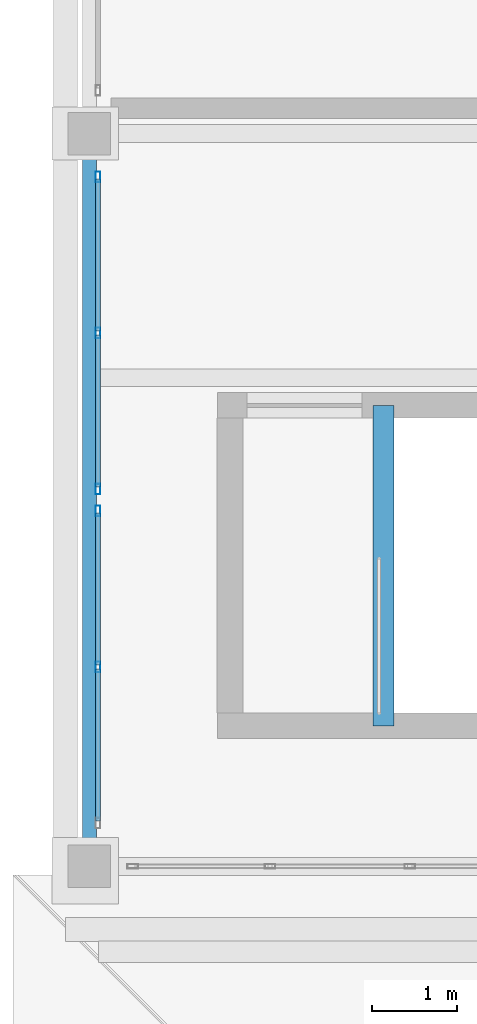
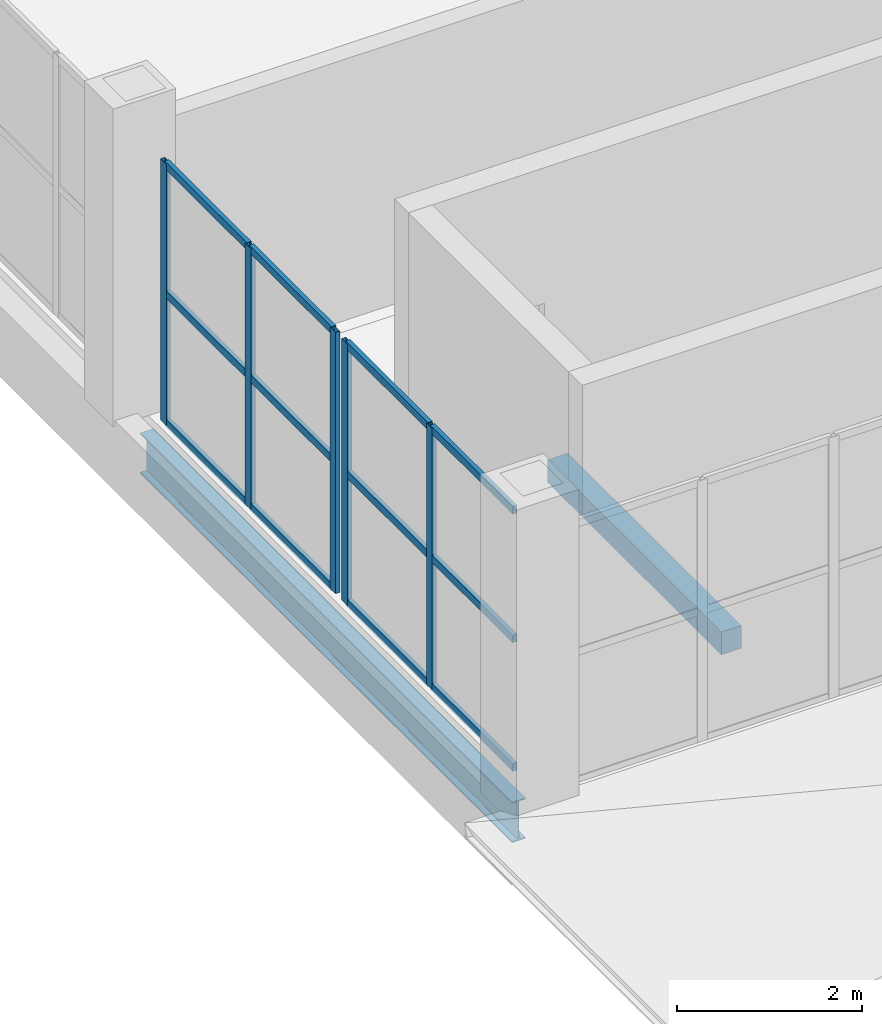
# One storey, part 4 of 26: 17 members, 2 beams, 2 elements without a shape of their own.
"""IFC4 building model written with IfcOpenShell, lengths in metres."""

from ifc_helpers import new_model, si_unit, direction, frame, origin, origin_2d, place, context, subcontext, project, spatial, rectangle, hollow_rectangle, i_section, extrude, material, material_profile, profile_set, type_object, element, aggregate, save


model = new_model("IFC4")

# Units and contexts
model_context = context("Model", 3, precision=1e-05, world=origin(), true_north=direction((0.0, 1.0)))
body_context = subcontext(model_context, "Body", "Model", "MODEL_VIEW")
ifc_project = project(units=[si_unit("LENGTHUNIT", "METRE"), si_unit("AREAUNIT", "SQUARE_METRE"), si_unit("VOLUMEUNIT", "CUBIC_METRE"), si_unit("PLANEANGLEUNIT", "RADIAN"), si_unit("MASSUNIT", "GRAM", prefix="KILO")], contexts=[model_context])

# Site, building, storey
site_placement = place(None, origin())
site = spatial("IfcSite", under=ifc_project, at=site_placement, CompositionType="ELEMENT")
building_placement = place(site_placement, origin())
building = spatial("IfcBuilding", under=site, at=building_placement, Name="Caurita Quay Ferry Terminal", CompositionType="ELEMENT")
storey_placement = place(building_placement, frame((0.0, 0.0, 18.300048828125)))
storey = spatial("IfcBuildingStorey", under=building, at=storey_placement, Name="L04", CompositionType="ELEMENT", Elevation=18.300048828125)

# Beam
ifc_material_1 = material(Name="Structural steel ASTM A992 Gr. 50", Category="steel")
ifc_material_profile_1 = material_profile(ifc_material_1, i_section(OverallWidth=0.16650390625, OverallDepth=0.535888671875, WebThickness=0.01025390625, FlangeThickness=0.0166015625, FilletRadius=0.013916015625, at=origin_2d()), Name="W21X57")
ifc_profile_set_1 = profile_set([ifc_material_profile_1], Name="Structural steel ASTM A992 Gr. 50")
beam_type_1 = type_object("IfcBeamType", Name="BM-SP-W21B", PredefinedType="SPANDREL", material=ifc_profile_set_1)
beam_1_placement = place(storey_placement, frame((0.0, 71.876220703125, -0.488037109375), z_axis=(0.0, 1.0, 0.0), x_axis=(-1.0, 0.0, 0.0)))
element("IfcBeam", 1, at=beam_1_placement, inside=storey, type_object=beam_type_1, Name="L04 Beam BM-V5-L04-Y-0-719", PredefinedType="SPANDREL", context=body_context, shape_type="SweptSolid", body=[
    extrude(i_section(OverallWidth=0.16650390625, OverallDepth=0.535888671875, WebThickness=0.01025390625, FlangeThickness=0.0166015625, FilletRadius=0.013916015625, at=origin_2d()), origin(), (0.0, 0.0, 1.0), 8.04736328125),
])

# Curtain wall, members
ifc_material_2 = material(Name="Laminated solar-control insulated glass", Category="glass")
curtain_wall_type = type_object("IfcCurtainWallType", Name="CW-SYS-20", PredefinedType="NOTDEFINED", material=ifc_material_2)
curtain_wall_1_placement = place(storey_placement, origin())
curtain_wall_1 = element("IfcCurtainWall", 2, at=curtain_wall_1_placement, inside=storey, type_object=curtain_wall_type, Name="VTS Watch Panoramic Curtain Wall 142", PredefinedType="NOTDEFINED")
ifc_material_3 = material(Name="Anodized aluminium 6063-T6", Category="aluminium")
ifc_material_profile_2 = material_profile(ifc_material_3, hollow_rectangle(XDim=0.054931640625, YDim=0.125, WallThickness=0.00341796875, at=origin_2d()), Name="ALU-MUL-55X125")
ifc_profile_set_2 = profile_set([ifc_material_profile_2], Name="Anodized aluminium 6063-T6")
member_type_1 = type_object("IfcMemberType", Name="CW-MUL-125", PredefinedType="MULLION", material=ifc_profile_set_2)
member_1_placement = place(storey_placement, frame((0.10009765625, 73.93994140625, 0.0), z_axis=(0.0, 0.0, 1.0), x_axis=(-1.0, 0.0, 0.0)))
member_1 = element("IfcMember", 3, at=member_1_placement, type_object=member_type_1, Name="CW-VTS-142 Mullion 2", PredefinedType="MULLION", context=body_context, shape_type="SweptSolid", body=[
    extrude(hollow_rectangle(XDim=0.054931640625, YDim=0.125, WallThickness=0.00341796875, at=origin_2d()), origin(), (0.0, 0.0, 1.0), 3.449951171875),
])
member_2_placement = place(storey_placement, frame((0.10009765625, 75.7724609375, 0.0), z_axis=(0.0, 0.0, 1.0), x_axis=(-1.0, 0.0, 0.0)))
member_2 = element("IfcMember", 4, at=member_2_placement, type_object=member_type_1, Name="CW-VTS-142 Mullion 3", PredefinedType="MULLION", context=body_context, shape_type="SweptSolid", body=[
    extrude(hollow_rectangle(XDim=0.054931640625, YDim=0.125, WallThickness=0.00341796875, at=origin_2d()), origin(), (0.0, 0.0, 1.0), 3.449951171875),
])

curtain_wall_2_placement = place(storey_placement, origin())
curtain_wall_2 = element("IfcCurtainWall", 5, at=curtain_wall_2_placement, inside=storey, type_object=curtain_wall_type, Name="VTS Watch Panoramic Curtain Wall 143", PredefinedType="NOTDEFINED")
member_3_placement = place(storey_placement, frame((0.10009765625, 76.027587890625, 0.0), z_axis=(0.0, 0.0, 1.0), x_axis=(-1.0, 0.0, 0.0)))
member_3 = element("IfcMember", 6, at=member_3_placement, type_object=member_type_1, Name="CW-VTS-143 Mullion 1", PredefinedType="MULLION", context=body_context, shape_type="SweptSolid", body=[
    extrude(hollow_rectangle(XDim=0.054931640625, YDim=0.125, WallThickness=0.00341796875, at=origin_2d()), origin(), (0.0, 0.0, 1.0), 3.449951171875),
])
member_4_placement = place(storey_placement, frame((0.10009765625, 77.860107421875, 0.0), z_axis=(0.0, 0.0, 1.0), x_axis=(-1.0, 0.0, 0.0)))
member_4 = element("IfcMember", 7, at=member_4_placement, type_object=member_type_1, Name="CW-VTS-143 Mullion 2", PredefinedType="MULLION", context=body_context, shape_type="SweptSolid", body=[
    extrude(hollow_rectangle(XDim=0.054931640625, YDim=0.125, WallThickness=0.00341796875, at=origin_2d()), origin(), (0.0, 0.0, 1.0), 3.449951171875),
])
member_5_placement = place(storey_placement, frame((0.10009765625, 79.6923828125, 0.0), z_axis=(0.0, 0.0, 1.0), x_axis=(-1.0, 0.0, 0.0)))
member_5 = element("IfcMember", 8, at=member_5_placement, type_object=member_type_1, Name="CW-VTS-143 Mullion 3", PredefinedType="MULLION", context=body_context, shape_type="SweptSolid", body=[
    extrude(hollow_rectangle(XDim=0.054931640625, YDim=0.125, WallThickness=0.00341796875, at=origin_2d()), origin(), (0.0, 0.0, 1.0), 3.449951171875),
])

# Member
ifc_material_profile_3 = material_profile(ifc_material_3, hollow_rectangle(XDim=0.054931640625, YDim=0.10009765625, WallThickness=0.00341796875, at=origin_2d()), Name="ALU-TRN-55X100")
ifc_profile_set_3 = profile_set([ifc_material_profile_3], Name="Anodized aluminium 6063-T6")
member_type_2 = type_object("IfcMemberType", Name="CW-TRN-100", PredefinedType="USERDEFINED", material=ifc_profile_set_3)
member_6_placement = place(storey_placement, frame((0.10009765625, 72.133056640625, 0.02734375), z_axis=(0.0, 1.0, 0.0), x_axis=(-1.0, 0.0, 0.0)))
member_6 = element("IfcMember", 9, at=member_6_placement, type_object=member_type_2, Name="CW-VTS-142 Transom 1", ObjectType="TRANSOM", PredefinedType="USERDEFINED", context=body_context, shape_type="SweptSolid", body=[
    extrude(hollow_rectangle(XDim=0.054931640625, YDim=0.10009765625, WallThickness=0.00341796875, at=origin_2d()), origin(), (0.0, 0.0, 1.0), 1.781494140625),
])

member_7_placement = place(storey_placement, frame((0.10009765625, 72.133056640625, 1.724853515625), z_axis=(0.0, 1.0, 0.0), x_axis=(-1.0, 0.0, 0.0)))
member_7 = element("IfcMember", 10, at=member_7_placement, type_object=member_type_2, Name="CW-VTS-142 Transom 2", ObjectType="TRANSOM", PredefinedType="USERDEFINED", context=body_context, shape_type="SweptSolid", body=[
    extrude(hollow_rectangle(XDim=0.054931640625, YDim=0.10009765625, WallThickness=0.00341796875, at=origin_2d()), origin(), (0.0, 0.0, 1.0), 1.781494140625),
])

member_8_placement = place(storey_placement, frame((0.10009765625, 72.133056640625, 3.42236328125), z_axis=(0.0, 1.0, 0.0), x_axis=(-1.0, 0.0, 0.0)))
member_8 = element("IfcMember", 11, at=member_8_placement, type_object=member_type_2, Name="CW-VTS-142 Transom 3", ObjectType="TRANSOM", PredefinedType="USERDEFINED", context=body_context, shape_type="SweptSolid", body=[
    extrude(hollow_rectangle(XDim=0.054931640625, YDim=0.10009765625, WallThickness=0.00341796875, at=origin_2d()), origin(), (0.0, 0.0, 1.0), 1.781494140625),
])

member_9_placement = place(storey_placement, frame((0.10009765625, 73.965576171875, 0.02734375), z_axis=(0.0, 1.0, 0.0), x_axis=(-1.0, 0.0, 0.0)))
member_9 = element("IfcMember", 12, at=member_9_placement, type_object=member_type_2, Name="CW-VTS-142 Transom 4", ObjectType="TRANSOM", PredefinedType="USERDEFINED", context=body_context, shape_type="SweptSolid", body=[
    extrude(hollow_rectangle(XDim=0.054931640625, YDim=0.10009765625, WallThickness=0.00341796875, at=origin_2d()), origin(), (0.0, 0.0, 1.0), 1.781494140625),
])

member_10_placement = place(storey_placement, frame((0.10009765625, 73.965576171875, 1.724853515625), z_axis=(0.0, 1.0, 0.0), x_axis=(-1.0, 0.0, 0.0)))
member_10 = element("IfcMember", 13, at=member_10_placement, type_object=member_type_2, Name="CW-VTS-142 Transom 5", ObjectType="TRANSOM", PredefinedType="USERDEFINED", context=body_context, shape_type="SweptSolid", body=[
    extrude(hollow_rectangle(XDim=0.054931640625, YDim=0.10009765625, WallThickness=0.00341796875, at=origin_2d()), origin(), (0.0, 0.0, 1.0), 1.781494140625),
])

member_11_placement = place(storey_placement, frame((0.10009765625, 73.965576171875, 3.42236328125), z_axis=(0.0, 1.0, 0.0), x_axis=(-1.0, 0.0, 0.0)))
member_11 = element("IfcMember", 14, at=member_11_placement, type_object=member_type_2, Name="CW-VTS-142 Transom 6", ObjectType="TRANSOM", PredefinedType="USERDEFINED", context=body_context, shape_type="SweptSolid", body=[
    extrude(hollow_rectangle(XDim=0.054931640625, YDim=0.10009765625, WallThickness=0.00341796875, at=origin_2d()), origin(), (0.0, 0.0, 1.0), 1.781494140625),
])

aggregate(curtain_wall_1, [member_1, member_2, member_6, member_7, member_8, member_9, member_10, member_11])

member_12_placement = place(storey_placement, frame((0.10009765625, 76.052978515625, 0.02734375), z_axis=(0.0, 1.0, 0.0), x_axis=(-1.0, 0.0, 0.0)))
member_12 = element("IfcMember", 15, at=member_12_placement, type_object=member_type_2, Name="CW-VTS-143 Transom 1", ObjectType="TRANSOM", PredefinedType="USERDEFINED", context=body_context, shape_type="SweptSolid", body=[
    extrude(hollow_rectangle(XDim=0.054931640625, YDim=0.10009765625, WallThickness=0.00341796875, at=origin_2d()), origin(), (0.0, 0.0, 1.0), 1.781494140625),
])

member_13_placement = place(storey_placement, frame((0.10009765625, 76.052978515625, 1.724853515625), z_axis=(0.0, 1.0, 0.0), x_axis=(-1.0, 0.0, 0.0)))
member_13 = element("IfcMember", 16, at=member_13_placement, type_object=member_type_2, Name="CW-VTS-143 Transom 2", ObjectType="TRANSOM", PredefinedType="USERDEFINED", context=body_context, shape_type="SweptSolid", body=[
    extrude(hollow_rectangle(XDim=0.054931640625, YDim=0.10009765625, WallThickness=0.00341796875, at=origin_2d()), origin(), (0.0, 0.0, 1.0), 1.781494140625),
])

member_14_placement = place(storey_placement, frame((0.10009765625, 76.052978515625, 3.42236328125), z_axis=(0.0, 1.0, 0.0), x_axis=(-1.0, 0.0, 0.0)))
member_14 = element("IfcMember", 17, at=member_14_placement, type_object=member_type_2, Name="CW-VTS-143 Transom 3", ObjectType="TRANSOM", PredefinedType="USERDEFINED", context=body_context, shape_type="SweptSolid", body=[
    extrude(hollow_rectangle(XDim=0.054931640625, YDim=0.10009765625, WallThickness=0.00341796875, at=origin_2d()), origin(), (0.0, 0.0, 1.0), 1.781494140625),
])

member_15_placement = place(storey_placement, frame((0.10009765625, 77.885498046875, 0.02734375), z_axis=(0.0, 1.0, 0.0), x_axis=(-1.0, 0.0, 0.0)))
member_15 = element("IfcMember", 18, at=member_15_placement, type_object=member_type_2, Name="CW-VTS-143 Transom 4", ObjectType="TRANSOM", PredefinedType="USERDEFINED", context=body_context, shape_type="SweptSolid", body=[
    extrude(hollow_rectangle(XDim=0.054931640625, YDim=0.10009765625, WallThickness=0.00341796875, at=origin_2d()), origin(), (0.0, 0.0, 1.0), 1.781494140625),
])

member_16_placement = place(storey_placement, frame((0.10009765625, 77.885498046875, 1.724853515625), z_axis=(0.0, 1.0, 0.0), x_axis=(-1.0, 0.0, 0.0)))
member_16 = element("IfcMember", 19, at=member_16_placement, type_object=member_type_2, Name="CW-VTS-143 Transom 5", ObjectType="TRANSOM", PredefinedType="USERDEFINED", context=body_context, shape_type="SweptSolid", body=[
    extrude(hollow_rectangle(XDim=0.054931640625, YDim=0.10009765625, WallThickness=0.00341796875, at=origin_2d()), origin(), (0.0, 0.0, 1.0), 1.781494140625),
])

member_17_placement = place(storey_placement, frame((0.10009765625, 77.885498046875, 3.42236328125), z_axis=(0.0, 1.0, 0.0), x_axis=(-1.0, 0.0, 0.0)))
member_17 = element("IfcMember", 20, at=member_17_placement, type_object=member_type_2, Name="CW-VTS-143 Transom 6", ObjectType="TRANSOM", PredefinedType="USERDEFINED", context=body_context, shape_type="SweptSolid", body=[
    extrude(hollow_rectangle(XDim=0.054931640625, YDim=0.10009765625, WallThickness=0.00341796875, at=origin_2d()), origin(), (0.0, 0.0, 1.0), 1.781494140625),
])

aggregate(curtain_wall_2, [member_3, member_4, member_5, member_12, member_13, member_14, member_15, member_16, member_17])

# Beam
ifc_material_4 = material(Name="Reinforced concrete C35/45", Category="concrete")
ifc_material_profile_4 = material_profile(ifc_material_4, rectangle(XDim=0.25, YDim=0.300048828125, at=origin_2d()), Name="RC-LN-250X300")
ifc_profile_set_4 = profile_set([ifc_material_profile_4], Name="Reinforced concrete C35/45")
beam_type_2 = type_object("IfcBeamType", Name="LN-RC-2530", PredefinedType="LINTEL", material=ifc_profile_set_4)
beam_2_placement = place(storey_placement, frame((3.449951171875, 73.25, -0.150146484375), z_axis=(0.0, 1.0, 0.0), x_axis=(-1.0, 0.0, 0.0)))
element("IfcBeam", 21, at=beam_2_placement, inside=storey, type_object=beam_type_2, Name="L04 Stair ST-02 Landing Trimmer Beam", PredefinedType="LINTEL", context=body_context, shape_type="SweptSolid", body=[
    extrude(rectangle(XDim=0.25, YDim=0.300048828125, at=origin_2d()), origin(), (0.0, 0.0, 1.0), 3.760009765625),
])

save(model, "model.ifc")
